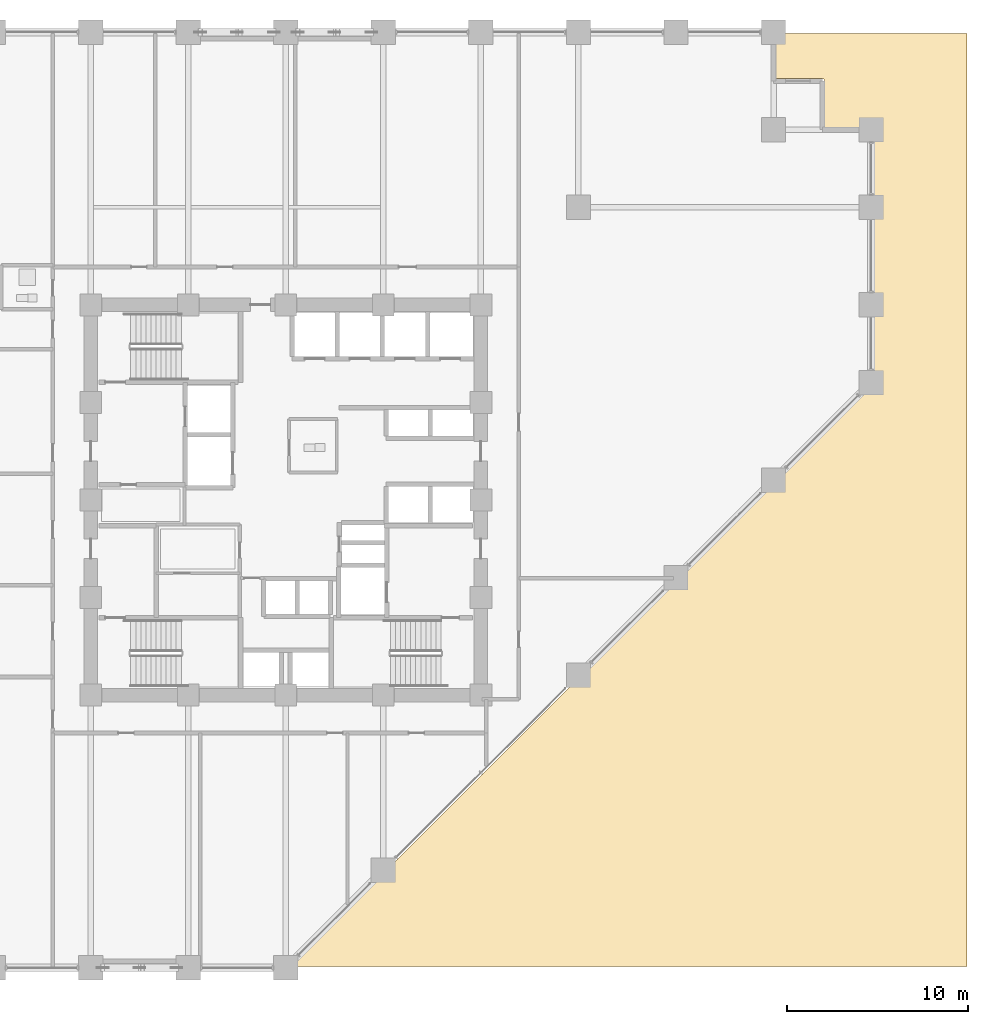
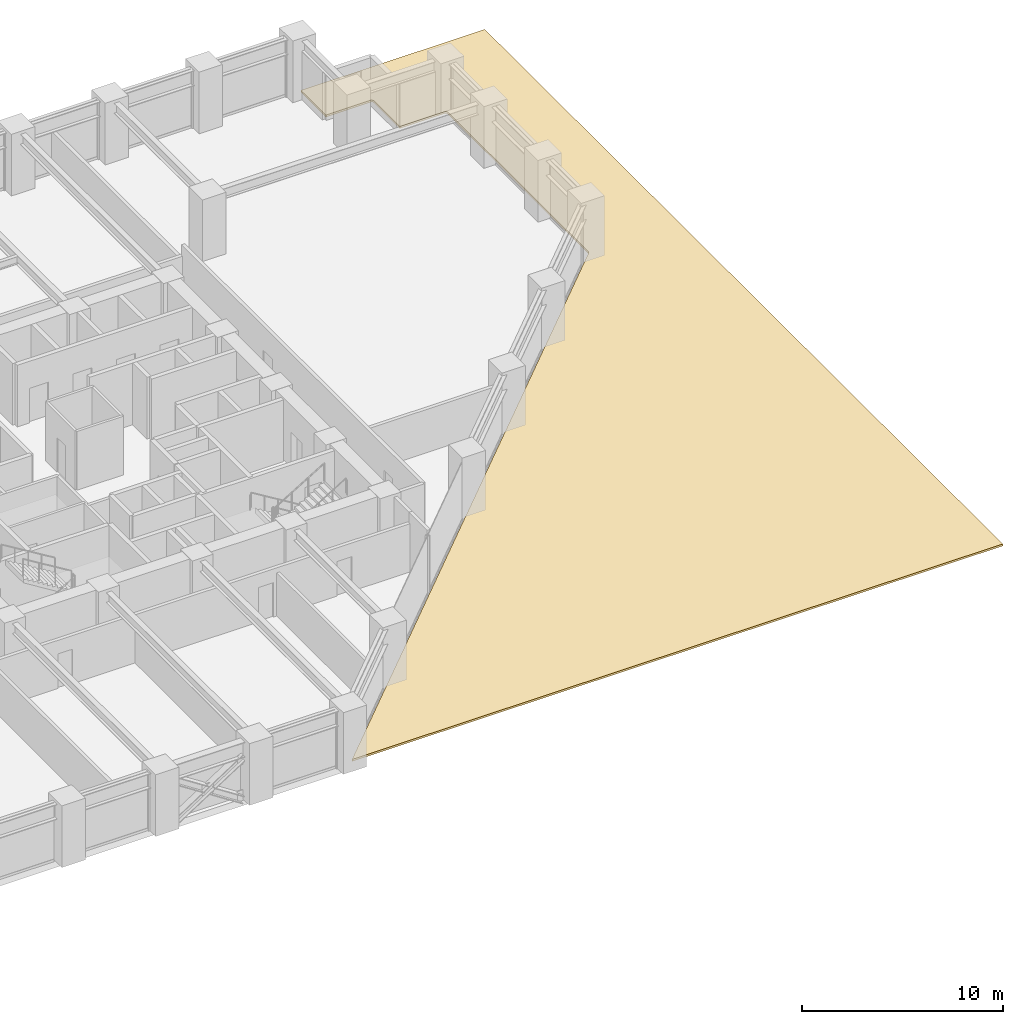
# One storey, part 25 of 27: 1 covering.
"""IFC4 building model written with IfcOpenShell, lengths in metres."""

from ifc_helpers import new_model, si_unit, direction, frame, origin, place, context, subcontext, project, spatial, polyline, outline, extrude, material, layer, layer_set, type_object, element, save


model = new_model("IFC4")

# Units and contexts
model_context = context("Model", 3, precision=1e-05, world=origin(), true_north=direction((0.0, 1.0)))
body_context = subcontext(model_context, "Body", "Model", "MODEL_VIEW")
ifc_project = project(units=[si_unit("LENGTHUNIT", "METRE"), si_unit("AREAUNIT", "SQUARE_METRE"), si_unit("VOLUMEUNIT", "CUBIC_METRE"), si_unit("PLANEANGLEUNIT", "RADIAN"), si_unit("MASSUNIT", "GRAM", prefix="KILO")], contexts=[model_context])

# Site, building, storey
site_placement = place(None, origin())
site = spatial("IfcSite", under=ifc_project, at=site_placement, CompositionType="ELEMENT")
building_placement = place(site_placement, origin())
building = spatial("IfcBuilding", under=site, at=building_placement, Name="Surkhivell Harbour Commons", CompositionType="ELEMENT")
storey_placement = place(building_placement, frame((0.0, 0.0, 22.5)))
storey = spatial("IfcBuildingStorey", under=building, at=storey_placement, Name="L05", CompositionType="ELEMENT", Elevation=22.5)

# Covering
ifc_material = material(Name="Inverted elastomeric waterproofing membrane and rigid insulation", Category="other")
ifc_layer = layer(ifc_material, 0.1201171875)
ifc_layer_set = layer_set([ifc_layer], Name="Inverted elastomeric waterproofing membrane and rigid insulation")
covering_type = type_object("IfcCoveringType", Name="COV-ROOF-MEM", PredefinedType="ROOFING", material=ifc_layer_set)
covering_placement = place(storey_placement, origin())
element("IfcCovering", 1, at=covering_placement, inside=storey, type_object=covering_type, Name="L05 Setback Waterproofing Roof Membrane 2-1", PredefinedType="ROOFING", context=body_context, shape_type="SweptSolid", body=[
    extrude(outline(polyline([(27.1298828125, 25.820068359375), (27.1298828125, 23.330078125), (29.701904296875, 23.330078125), (29.712890625, 23.32958984375), (29.725341796875, 23.32763671875), (29.73779296875, 23.324462890625), (29.749755859375, 23.3203125), (29.76123046875, 23.314697265625), (29.772216796875, 23.30810546875), (29.782470703125, 23.300537109375), (29.7919921875, 23.2919921875), (29.800537109375, 23.282470703125), (29.80810546875, 23.272216796875), (29.814697265625, 23.26123046875), (29.8203125, 23.249755859375), (29.824462890625, 23.23779296875), (29.82763671875, 23.225341796875), (29.82958984375, 23.212890625), (29.830078125, 23.201904296875), (29.830078125, 20.6298828125), (32.402099609375, 20.6298828125), (32.412841796875, 20.62939453125), (32.42529296875, 20.627685546875), (32.437744140625, 20.62451171875), (32.44970703125, 20.6201171875), (32.461181640625, 20.61474609375), (32.472412109375, 20.608154296875), (32.482421875, 20.6005859375), (32.491943359375, 20.592041015625), (32.50048828125, 20.58251953125), (32.50830078125, 20.572265625), (32.5146484375, 20.561279296875), (32.520263671875, 20.5498046875), (32.5244140625, 20.537841796875), (32.527587890625, 20.525390625), (32.529541015625, 20.5126953125), (32.530029296875, 20.501953125), (32.530029296875, 6.498046875), (32.529541015625, 6.4873046875), (32.527587890625, 6.474609375), (32.5244140625, 6.462158203125), (32.520263671875, 6.4501953125), (32.5146484375, 6.438720703125), (32.50830078125, 6.427734375), (32.50048828125, 6.41748046875), (32.493408203125, 6.409423828125), (0.263916015625, -25.820068359375), (37.719970703125, -25.820068359375), (37.719970703125, 25.820068359375), (27.1298828125, 25.820068359375)])), origin(), (0.0, 0.0, 1.0), 0.1201171875),
])

save(model, "model.ifc")
